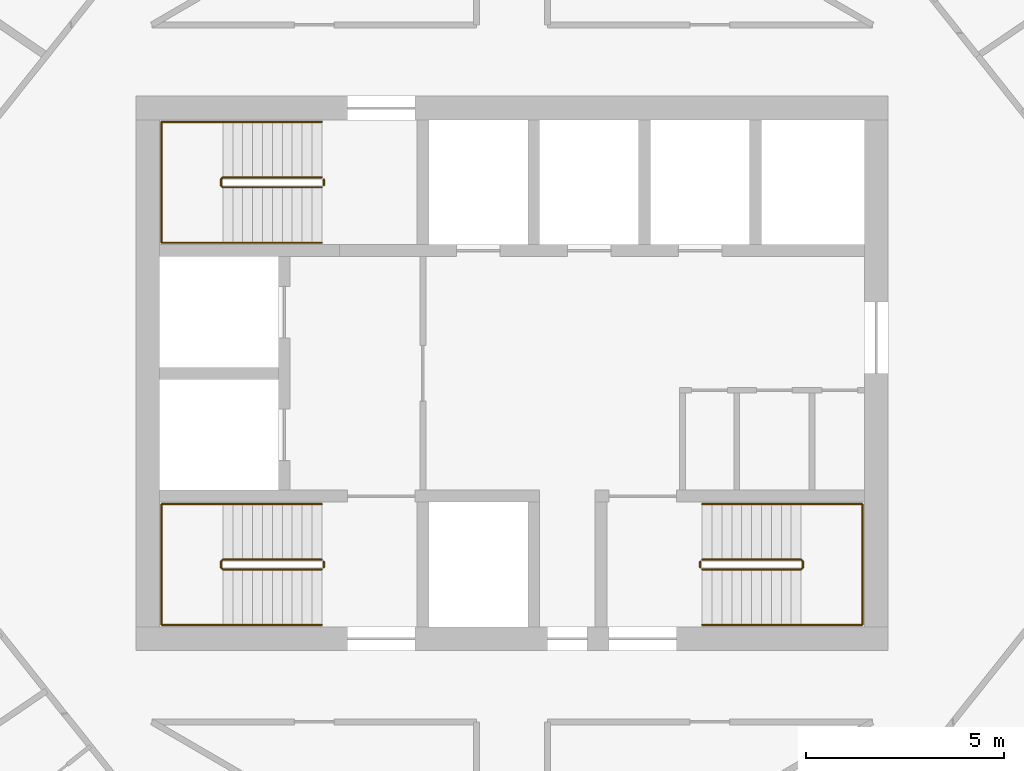
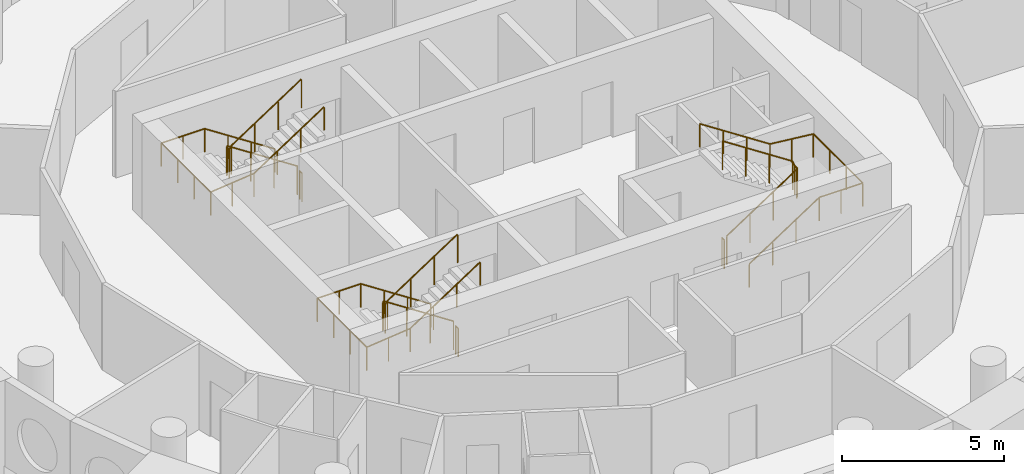
# One storey, part 13 of 13: 9 railings.
"""IFC4 building model written with IfcOpenShell, lengths in metres."""

from ifc_helpers import new_model, si_unit, direction, frame, origin, origin_2d, place, context, subcontext, project, spatial, circle, extrude, material, type_object, element, save


model = new_model("IFC4")

# Units and contexts
model_context = context("Model", 3, precision=1e-05, world=origin(), true_north=direction((0.0, 1.0)))
body_context = subcontext(model_context, "Body", "Model", "MODEL_VIEW")
ifc_project = project(units=[si_unit("LENGTHUNIT", "METRE"), si_unit("AREAUNIT", "SQUARE_METRE"), si_unit("VOLUMEUNIT", "CUBIC_METRE"), si_unit("PLANEANGLEUNIT", "RADIAN"), si_unit("MASSUNIT", "GRAM", prefix="KILO")], contexts=[model_context])

# Site, building, storey
site_placement = place(None, origin())
site = spatial("IfcSite", under=ifc_project, at=site_placement, CompositionType="ELEMENT")
building_placement = place(site_placement, origin())
building = spatial("IfcBuilding", under=site, at=building_placement, Name="Tracery Tower", CompositionType="ELEMENT")
storey_placement = place(building_placement, frame((0.0, 0.0, 259.800048828125)))
storey = spatial("IfcBuildingStorey", under=building, at=storey_placement, Name="L67", CompositionType="ELEMENT", Elevation=259.800048828125)

# Railings
ifc_material_1 = material(Name="Stainless steel and laminated glass", Category="steel")
railing_type_1 = type_object("IfcRailingType", Name="Stair guard 1100", PredefinedType="GUARDRAIL", material=ifc_material_1)
railing_1_placement = place(storey_placement, frame((-4.800048828125, -4.699951171875, 0.16357421875)))
element("IfcRailing", 1, at=railing_1_placement, inside=storey, type_object=railing_type_1, Name="L67 stair ST1 guard 1", PredefinedType="GUARDRAIL", context=body_context, shape_type="SweptSolid", body=[
    extrude(circle(Radius=0.02392578125, at=origin_2d()), frame((0.0, 0.0, 1.076171875), z_axis=(-0.83668449804, 0.0, 0.54768517484), x_axis=(0.0, -1.0, 0.0)), (0.0, 0.0, 1.0), 2.988037109375),
    extrude(circle(Radius=0.02392578125, at=origin_2d()), frame((-2.5, 0.0, 2.71240234375), z_axis=(-0.707106781187, -0.707106781187, 0.0), x_axis=(0.707106781187, -0.707106781187, 0.0)), (0.0, 0.0, 1.0), 0.07080078125),
    extrude(circle(Radius=0.02392578125, at=origin_2d()), frame((-2.550048828125, -0.050048828125, 2.71240234375), z_axis=(0.0, -1.0, 0.0), x_axis=(1.0, 0.0, 0.0)), (0.0, 0.0, 1.0), 0.14990234375),
    extrude(circle(Radius=0.02392578125, at=origin_2d()), frame((-2.550048828125, -0.199951171875, 2.71240234375), z_axis=(0.280808744504, -0.280808744504, 0.917765164963), x_axis=(0.707106781187, 0.707106781187, 0.0)), (0.0, 0.0, 1.0), 0.17822265625),
    extrude(circle(Radius=0.02392578125, at=origin_2d()), frame((-2.5, -0.25, 2.8759765625), z_axis=(0.836721939367, 0.0, 0.547627972425), x_axis=(0.0, 1.0, 0.0)), (0.0, 0.0, 1.0), 2.98779296875),
    extrude(circle(Radius=0.02099609375, at=origin_2d()), origin(), (0.0, 0.0, 1.0), 1.052001953125),
    extrude(circle(Radius=0.02099609375, at=origin_2d()), frame((-0.833251953125, 0.0, 0.54541015625)), (0.0, 0.0, 1.0), 1.052001953125),
    extrude(circle(Radius=0.02099609375, at=origin_2d()), frame((-1.666748046875, 0.0, 1.091064453125)), (0.0, 0.0, 1.0), 1.052001953125),
    extrude(circle(Radius=0.02099609375, at=origin_2d()), frame((-2.5, 0.0, 1.636474609375)), (0.0, 0.0, 1.0), 1.052001953125),
    extrude(circle(Radius=0.02099609375, at=origin_2d()), frame((-2.550048828125, -0.050048828125, 1.636474609375)), (0.0, 0.0, 1.0), 1.052001953125),
    extrude(circle(Radius=0.02099609375, at=origin_2d()), frame((-2.550048828125, -0.199951171875, 1.636474609375)), (0.0, 0.0, 1.0), 1.052001953125),
    extrude(circle(Radius=0.02099609375, at=origin_2d()), frame((-2.5, -0.25, 1.800048828125)), (0.0, 0.0, 1.0), 1.052001953125),
    extrude(circle(Radius=0.02099609375, at=origin_2d()), frame((-1.666748046875, -0.25, 2.345458984375)), (0.0, 0.0, 1.0), 1.052001953125),
    extrude(circle(Radius=0.02099609375, at=origin_2d()), frame((-0.833251953125, -0.25, 2.890869140625)), (0.0, 0.0, 1.0), 1.052001953125),
    extrude(circle(Radius=0.02099609375, at=origin_2d()), frame((0.0, -0.25, 3.436279296875)), (0.0, 0.0, 1.0), 1.052001953125),
])
railing_2_placement = place(storey_placement, frame((-4.75, -4.75, 0.0)))
element("IfcRailing", 2, at=railing_2_placement, inside=storey, type_object=railing_type_1, Name="L67 stair ST1 guard 2", PredefinedType="GUARDRAIL", context=body_context, shape_type="SweptSolid", body=[
    extrude(circle(Radius=0.02392578125, at=origin_2d()), frame((0.0, 0.0, 1.076171875), z_axis=(0.0, -1.0, 0.0), x_axis=(1.0, 0.0, 0.0)), (0.0, 0.0, 1.0), 0.14990234375),
    extrude(circle(Radius=0.02099609375, at=origin_2d()), origin(), (0.0, 0.0, 1.0), 1.052001953125),
    extrude(circle(Radius=0.02099609375, at=origin_2d()), frame((0.0, -0.14990234375, 0.0)), (0.0, 0.0, 1.0), 1.052001953125),
])
railing_3_placement = place(storey_placement, frame((-4.800048828125, 4.949951171875, 0.16357421875)))
element("IfcRailing", 3, at=railing_3_placement, inside=storey, type_object=railing_type_1, Name="L67 stair ST3 guard 1", PredefinedType="GUARDRAIL", context=body_context, shape_type="SweptSolid", body=[
    extrude(circle(Radius=0.02392578125, at=origin_2d()), frame((0.0, 0.0, 1.076171875), z_axis=(-0.83668449804, 0.0, 0.54768517484), x_axis=(0.0, -1.0, 0.0)), (0.0, 0.0, 1.0), 2.988037109375),
    extrude(circle(Radius=0.02392578125, at=origin_2d()), frame((-2.5, 0.0, 2.71240234375), z_axis=(-0.707106781187, -0.707106781187, 0.0), x_axis=(0.707106781187, -0.707106781187, 0.0)), (0.0, 0.0, 1.0), 0.07080078125),
    extrude(circle(Radius=0.02392578125, at=origin_2d()), frame((-2.550048828125, -0.050048828125, 2.71240234375), z_axis=(0.0, -1.0, 0.0), x_axis=(1.0, 0.0, 0.0)), (0.0, 0.0, 1.0), 0.14990234375),
    extrude(circle(Radius=0.02392578125, at=origin_2d()), frame((-2.550048828125, -0.199951171875, 2.71240234375), z_axis=(0.280808744504, -0.280808744504, 0.917765164963), x_axis=(0.707106781187, 0.707106781187, 0.0)), (0.0, 0.0, 1.0), 0.17822265625),
    extrude(circle(Radius=0.02392578125, at=origin_2d()), frame((-2.5, -0.25, 2.8759765625), z_axis=(0.836721939367, 0.0, 0.547627972425), x_axis=(0.0, 1.0, 0.0)), (0.0, 0.0, 1.0), 2.98779296875),
    extrude(circle(Radius=0.02099609375, at=origin_2d()), origin(), (0.0, 0.0, 1.0), 1.052001953125),
    extrude(circle(Radius=0.02099609375, at=origin_2d()), frame((-0.833251953125, 0.0, 0.54541015625)), (0.0, 0.0, 1.0), 1.052001953125),
    extrude(circle(Radius=0.02099609375, at=origin_2d()), frame((-1.666748046875, 0.0, 1.091064453125)), (0.0, 0.0, 1.0), 1.052001953125),
    extrude(circle(Radius=0.02099609375, at=origin_2d()), frame((-2.5, 0.0, 1.636474609375)), (0.0, 0.0, 1.0), 1.052001953125),
    extrude(circle(Radius=0.02099609375, at=origin_2d()), frame((-2.550048828125, -0.050048828125, 1.636474609375)), (0.0, 0.0, 1.0), 1.052001953125),
    extrude(circle(Radius=0.02099609375, at=origin_2d()), frame((-2.550048828125, -0.199951171875, 1.636474609375)), (0.0, 0.0, 1.0), 1.052001953125),
    extrude(circle(Radius=0.02099609375, at=origin_2d()), frame((-2.5, -0.25, 1.800048828125)), (0.0, 0.0, 1.0), 1.052001953125),
    extrude(circle(Radius=0.02099609375, at=origin_2d()), frame((-1.666748046875, -0.25, 2.345458984375)), (0.0, 0.0, 1.0), 1.052001953125),
    extrude(circle(Radius=0.02099609375, at=origin_2d()), frame((-0.833251953125, -0.25, 2.890869140625)), (0.0, 0.0, 1.0), 1.052001953125),
    extrude(circle(Radius=0.02099609375, at=origin_2d()), frame((0.0, -0.25, 3.436279296875)), (0.0, 0.0, 1.0), 1.052001953125),
])
railing_4_placement = place(storey_placement, frame((-4.75, 4.89990234375, 0.0)))
element("IfcRailing", 4, at=railing_4_placement, inside=storey, type_object=railing_type_1, Name="L67 stair ST3 guard 2", PredefinedType="GUARDRAIL", context=body_context, shape_type="SweptSolid", body=[
    extrude(circle(Radius=0.02392578125, at=origin_2d()), frame((0.0, 0.0, 1.076171875), z_axis=(0.0, -1.0, 0.0), x_axis=(1.0, 0.0, 0.0)), (0.0, 0.0, 1.0), 0.14990234375),
    extrude(circle(Radius=0.02099609375, at=origin_2d()), origin(), (0.0, 0.0, 1.0), 1.052001953125),
    extrude(circle(Radius=0.02099609375, at=origin_2d()), frame((0.0, -0.14990234375, 0.0)), (0.0, 0.0, 1.0), 1.052001953125),
])
railing_5_placement = place(storey_placement, frame((4.800048828125, -4.949951171875, 0.16357421875)))
element("IfcRailing", 5, at=railing_5_placement, inside=storey, type_object=railing_type_1, Name="L67 stair ST2 guard 1", PredefinedType="GUARDRAIL", context=body_context, shape_type="SweptSolid", body=[
    extrude(circle(Radius=0.02392578125, at=origin_2d()), frame((0.0, 0.0, 1.076171875), z_axis=(0.83668449804, 0.0, 0.54768517484), x_axis=(0.0, 1.0, 0.0)), (0.0, 0.0, 1.0), 2.988037109375),
    extrude(circle(Radius=0.02392578125, at=origin_2d()), frame((2.5, 0.0, 2.71240234375), z_axis=(0.707106781187, 0.707106781187, 0.0), x_axis=(-0.707106781187, 0.707106781187, 0.0)), (0.0, 0.0, 1.0), 0.07080078125),
    extrude(circle(Radius=0.02392578125, at=origin_2d()), frame((2.550048828125, 0.050048828125, 2.71240234375), z_axis=(0.0, 1.0, 0.0), x_axis=(-1.0, 0.0, 0.0)), (0.0, 0.0, 1.0), 0.14990234375),
    extrude(circle(Radius=0.02392578125, at=origin_2d()), frame((2.550048828125, 0.199951171875, 2.71240234375), z_axis=(-0.280808744504, 0.280808744504, 0.917765164963), x_axis=(-0.707106781187, -0.707106781187, 0.0)), (0.0, 0.0, 1.0), 0.17822265625),
    extrude(circle(Radius=0.02392578125, at=origin_2d()), frame((2.5, 0.25, 2.8759765625), z_axis=(-0.836721939367, 0.0, 0.547627972425), x_axis=(0.0, -1.0, 0.0)), (0.0, 0.0, 1.0), 2.98779296875),
    extrude(circle(Radius=0.02099609375, at=origin_2d()), origin(), (0.0, 0.0, 1.0), 1.052001953125),
    extrude(circle(Radius=0.02099609375, at=origin_2d()), frame((0.833251953125, 0.0, 0.54541015625)), (0.0, 0.0, 1.0), 1.052001953125),
    extrude(circle(Radius=0.02099609375, at=origin_2d()), frame((1.666748046875, 0.0, 1.091064453125)), (0.0, 0.0, 1.0), 1.052001953125),
    extrude(circle(Radius=0.02099609375, at=origin_2d()), frame((2.5, 0.0, 1.636474609375)), (0.0, 0.0, 1.0), 1.052001953125),
    extrude(circle(Radius=0.02099609375, at=origin_2d()), frame((2.550048828125, 0.050048828125, 1.636474609375)), (0.0, 0.0, 1.0), 1.052001953125),
    extrude(circle(Radius=0.02099609375, at=origin_2d()), frame((2.550048828125, 0.199951171875, 1.636474609375)), (0.0, 0.0, 1.0), 1.052001953125),
    extrude(circle(Radius=0.02099609375, at=origin_2d()), frame((2.5, 0.25, 1.800048828125)), (0.0, 0.0, 1.0), 1.052001953125),
    extrude(circle(Radius=0.02099609375, at=origin_2d()), frame((1.666748046875, 0.25, 2.345458984375)), (0.0, 0.0, 1.0), 1.052001953125),
    extrude(circle(Radius=0.02099609375, at=origin_2d()), frame((0.833251953125, 0.25, 2.890869140625)), (0.0, 0.0, 1.0), 1.052001953125),
    extrude(circle(Radius=0.02099609375, at=origin_2d()), frame((0.0, 0.25, 3.436279296875)), (0.0, 0.0, 1.0), 1.052001953125),
])
railing_6_placement = place(storey_placement, frame((4.75, -4.89990234375, 0.0)))
element("IfcRailing", 6, at=railing_6_placement, inside=storey, type_object=railing_type_1, Name="L67 stair ST2 guard 2", PredefinedType="GUARDRAIL", context=body_context, shape_type="SweptSolid", body=[
    extrude(circle(Radius=0.02392578125, at=origin_2d()), frame((0.0, 0.0, 1.076171875), z_axis=(0.0, 1.0, 0.0), x_axis=(-1.0, 0.0, 0.0)), (0.0, 0.0, 1.0), 0.14990234375),
    extrude(circle(Radius=0.02099609375, at=origin_2d()), origin(), (0.0, 0.0, 1.0), 1.052001953125),
    extrude(circle(Radius=0.02099609375, at=origin_2d()), frame((0.0, 0.14990234375, 0.0)), (0.0, 0.0, 1.0), 1.052001953125),
])
ifc_material_2 = material(Name="Stainless steel and laminated glass", Category="steel")
railing_type_2 = type_object("IfcRailingType", Name="Stair handrail 900", PredefinedType="HANDRAIL", material=ifc_material_2)
railing_7_placement = place(storey_placement, frame((-4.800048828125, -3.300048828125, 0.16357421875)))
element("IfcRailing", 7, at=railing_7_placement, inside=storey, type_object=railing_type_2, Name="L67 stair ST1 handrail 1", PredefinedType="HANDRAIL", context=body_context, shape_type="SweptSolid", body=[
    extrude(circle(Radius=0.02392578125, at=origin_2d()), frame((0.0, 0.0, 0.8759765625), z_axis=(-0.83668449804, 0.0, 0.54768517484), x_axis=(0.0, -1.0, 0.0)), (0.0, 0.0, 1.0), 2.988037109375),
    extrude(circle(Radius=0.02392578125, at=origin_2d()), frame((-2.5, 0.0, 2.51220703125), z_axis=(-1.0, 0.0, 0.0), x_axis=(0.0, -1.0, 0.0)), (0.0, 0.0, 1.0), 1.550048828125),
    extrude(circle(Radius=0.02392578125, at=origin_2d()), frame((-4.050048828125, 0.0, 2.51220703125), z_axis=(0.0, -1.0, 0.0), x_axis=(1.0, 0.0, 0.0)), (0.0, 0.0, 1.0), 3.050048828125),
    extrude(circle(Radius=0.02392578125, at=origin_2d()), frame((-4.050048828125, -3.050048828125, 2.51220703125), z_axis=(0.994477953863, 0.0, 0.104945696817), x_axis=(0.0, 1.0, 0.0)), (0.0, 0.0, 1.0), 1.55859375),
    extrude(circle(Radius=0.02392578125, at=origin_2d()), frame((-2.5, -3.050048828125, 2.67578125), z_axis=(0.836721939367, 0.0, 0.547627972425), x_axis=(0.0, 1.0, 0.0)), (0.0, 0.0, 1.0), 2.98779296875),
    extrude(circle(Radius=0.02099609375, at=origin_2d()), origin(), (0.0, 0.0, 1.0), 0.851806640625),
    extrude(circle(Radius=0.02099609375, at=origin_2d()), frame((-0.833251953125, 0.0, 0.54541015625)), (0.0, 0.0, 1.0), 0.851806640625),
    extrude(circle(Radius=0.02099609375, at=origin_2d()), frame((-1.666748046875, 0.0, 1.091064453125)), (0.0, 0.0, 1.0), 0.851806640625),
    extrude(circle(Radius=0.02099609375, at=origin_2d()), frame((-2.5, 0.0, 1.636474609375)), (0.0, 0.0, 1.0), 0.851806640625),
    extrude(circle(Radius=0.02099609375, at=origin_2d()), frame((-3.27490234375, 0.0, 1.636474609375)), (0.0, 0.0, 1.0), 0.851806640625),
    extrude(circle(Radius=0.02099609375, at=origin_2d()), frame((-4.050048828125, 0.0, 1.636474609375)), (0.0, 0.0, 1.0), 0.851806640625),
    extrude(circle(Radius=0.02099609375, at=origin_2d()), frame((-4.050048828125, -1.0166015625, 1.636474609375)), (0.0, 0.0, 1.0), 0.851806640625),
    extrude(circle(Radius=0.02099609375, at=origin_2d()), frame((-4.050048828125, -2.033447265625, 1.636474609375)), (0.0, 0.0, 1.0), 0.851806640625),
    extrude(circle(Radius=0.02099609375, at=origin_2d()), frame((-4.050048828125, -3.050048828125, 1.636474609375)), (0.0, 0.0, 1.0), 0.851806640625),
    extrude(circle(Radius=0.02099609375, at=origin_2d()), frame((-3.27490234375, -3.050048828125, 1.71826171875)), (0.0, 0.0, 1.0), 0.851806640625),
    extrude(circle(Radius=0.02099609375, at=origin_2d()), frame((-2.5, -3.050048828125, 1.800048828125)), (0.0, 0.0, 1.0), 0.851806640625),
    extrude(circle(Radius=0.02099609375, at=origin_2d()), frame((-1.666748046875, -3.050048828125, 2.345458984375)), (0.0, 0.0, 1.0), 0.851806640625),
    extrude(circle(Radius=0.02099609375, at=origin_2d()), frame((-0.833251953125, -3.050048828125, 2.890869140625)), (0.0, 0.0, 1.0), 0.851806640625),
    extrude(circle(Radius=0.02099609375, at=origin_2d()), frame((0.0, -3.050048828125, 3.436279296875)), (0.0, 0.0, 1.0), 0.851806640625),
])
railing_8_placement = place(storey_placement, frame((-4.800048828125, 6.35009765625, 0.16357421875)))
element("IfcRailing", 8, at=railing_8_placement, inside=storey, type_object=railing_type_2, Name="L67 stair ST3 handrail 1", PredefinedType="HANDRAIL", context=body_context, shape_type="SweptSolid", body=[
    extrude(circle(Radius=0.02392578125, at=origin_2d()), frame((0.0, 0.0, 0.8759765625), z_axis=(-0.83668449804, 0.0, 0.54768517484), x_axis=(0.0, -1.0, 0.0)), (0.0, 0.0, 1.0), 2.988037109375),
    extrude(circle(Radius=0.02392578125, at=origin_2d()), frame((-2.5, 0.0, 2.51220703125), z_axis=(-1.0, 0.0, 0.0), x_axis=(0.0, -1.0, 0.0)), (0.0, 0.0, 1.0), 1.550048828125),
    extrude(circle(Radius=0.02392578125, at=origin_2d()), frame((-4.050048828125, 0.0, 2.51220703125), z_axis=(0.0, -1.0, 0.0), x_axis=(1.0, 0.0, 0.0)), (0.0, 0.0, 1.0), 3.050048828125),
    extrude(circle(Radius=0.02392578125, at=origin_2d()), frame((-4.050048828125, -3.050048828125, 2.51220703125), z_axis=(0.994477953863, 0.0, 0.104945696817), x_axis=(0.0, 1.0, 0.0)), (0.0, 0.0, 1.0), 1.55859375),
    extrude(circle(Radius=0.02392578125, at=origin_2d()), frame((-2.5, -3.050048828125, 2.67578125), z_axis=(0.836721939367, 0.0, 0.547627972425), x_axis=(0.0, 1.0, 0.0)), (0.0, 0.0, 1.0), 2.98779296875),
    extrude(circle(Radius=0.02099609375, at=origin_2d()), origin(), (0.0, 0.0, 1.0), 0.851806640625),
    extrude(circle(Radius=0.02099609375, at=origin_2d()), frame((-0.833251953125, 0.0, 0.54541015625)), (0.0, 0.0, 1.0), 0.851806640625),
    extrude(circle(Radius=0.02099609375, at=origin_2d()), frame((-1.666748046875, 0.0, 1.091064453125)), (0.0, 0.0, 1.0), 0.851806640625),
    extrude(circle(Radius=0.02099609375, at=origin_2d()), frame((-2.5, 0.0, 1.636474609375)), (0.0, 0.0, 1.0), 0.851806640625),
    extrude(circle(Radius=0.02099609375, at=origin_2d()), frame((-3.27490234375, 0.0, 1.636474609375)), (0.0, 0.0, 1.0), 0.851806640625),
    extrude(circle(Radius=0.02099609375, at=origin_2d()), frame((-4.050048828125, 0.0, 1.636474609375)), (0.0, 0.0, 1.0), 0.851806640625),
    extrude(circle(Radius=0.02099609375, at=origin_2d()), frame((-4.050048828125, -1.0166015625, 1.636474609375)), (0.0, 0.0, 1.0), 0.851806640625),
    extrude(circle(Radius=0.02099609375, at=origin_2d()), frame((-4.050048828125, -2.033447265625, 1.636474609375)), (0.0, 0.0, 1.0), 0.851806640625),
    extrude(circle(Radius=0.02099609375, at=origin_2d()), frame((-4.050048828125, -3.050048828125, 1.636474609375)), (0.0, 0.0, 1.0), 0.851806640625),
    extrude(circle(Radius=0.02099609375, at=origin_2d()), frame((-3.27490234375, -3.050048828125, 1.71826171875)), (0.0, 0.0, 1.0), 0.851806640625),
    extrude(circle(Radius=0.02099609375, at=origin_2d()), frame((-2.5, -3.050048828125, 1.800048828125)), (0.0, 0.0, 1.0), 0.851806640625),
    extrude(circle(Radius=0.02099609375, at=origin_2d()), frame((-1.666748046875, -3.050048828125, 2.345458984375)), (0.0, 0.0, 1.0), 0.851806640625),
    extrude(circle(Radius=0.02099609375, at=origin_2d()), frame((-0.833251953125, -3.050048828125, 2.890869140625)), (0.0, 0.0, 1.0), 0.851806640625),
    extrude(circle(Radius=0.02099609375, at=origin_2d()), frame((0.0, -3.050048828125, 3.436279296875)), (0.0, 0.0, 1.0), 0.851806640625),
])
railing_9_placement = place(storey_placement, frame((4.800048828125, -6.35009765625, 0.16357421875)))
element("IfcRailing", 9, at=railing_9_placement, inside=storey, type_object=railing_type_2, Name="L67 stair ST2 handrail 1", PredefinedType="HANDRAIL", context=body_context, shape_type="SweptSolid", body=[
    extrude(circle(Radius=0.02392578125, at=origin_2d()), frame((0.0, 0.0, 0.8759765625), z_axis=(0.83668449804, 0.0, 0.54768517484), x_axis=(0.0, 1.0, 0.0)), (0.0, 0.0, 1.0), 2.988037109375),
    extrude(circle(Radius=0.02392578125, at=origin_2d()), frame((2.5, 0.0, 2.51220703125), z_axis=(1.0, 0.0, 0.0), x_axis=(0.0, 1.0, 0.0)), (0.0, 0.0, 1.0), 1.550048828125),
    extrude(circle(Radius=0.02392578125, at=origin_2d()), frame((4.050048828125, 0.0, 2.51220703125), z_axis=(0.0, 1.0, 0.0), x_axis=(-1.0, 0.0, 0.0)), (0.0, 0.0, 1.0), 3.050048828125),
    extrude(circle(Radius=0.02392578125, at=origin_2d()), frame((4.050048828125, 3.050048828125, 2.51220703125), z_axis=(-0.994477953863, 0.0, 0.104945696817), x_axis=(0.0, -1.0, 0.0)), (0.0, 0.0, 1.0), 1.55859375),
    extrude(circle(Radius=0.02392578125, at=origin_2d()), frame((2.5, 3.050048828125, 2.67578125), z_axis=(-0.836721939367, 0.0, 0.547627972425), x_axis=(0.0, -1.0, 0.0)), (0.0, 0.0, 1.0), 2.98779296875),
    extrude(circle(Radius=0.02099609375, at=origin_2d()), origin(), (0.0, 0.0, 1.0), 0.851806640625),
    extrude(circle(Radius=0.02099609375, at=origin_2d()), frame((0.833251953125, 0.0, 0.54541015625)), (0.0, 0.0, 1.0), 0.851806640625),
    extrude(circle(Radius=0.02099609375, at=origin_2d()), frame((1.666748046875, 0.0, 1.091064453125)), (0.0, 0.0, 1.0), 0.851806640625),
    extrude(circle(Radius=0.02099609375, at=origin_2d()), frame((2.5, 0.0, 1.636474609375)), (0.0, 0.0, 1.0), 0.851806640625),
    extrude(circle(Radius=0.02099609375, at=origin_2d()), frame((3.27490234375, 0.0, 1.636474609375)), (0.0, 0.0, 1.0), 0.851806640625),
    extrude(circle(Radius=0.02099609375, at=origin_2d()), frame((4.050048828125, 0.0, 1.636474609375)), (0.0, 0.0, 1.0), 0.851806640625),
    extrude(circle(Radius=0.02099609375, at=origin_2d()), frame((4.050048828125, 1.0166015625, 1.636474609375)), (0.0, 0.0, 1.0), 0.851806640625),
    extrude(circle(Radius=0.02099609375, at=origin_2d()), frame((4.050048828125, 2.033447265625, 1.636474609375)), (0.0, 0.0, 1.0), 0.851806640625),
    extrude(circle(Radius=0.02099609375, at=origin_2d()), frame((4.050048828125, 3.050048828125, 1.636474609375)), (0.0, 0.0, 1.0), 0.851806640625),
    extrude(circle(Radius=0.02099609375, at=origin_2d()), frame((3.27490234375, 3.050048828125, 1.71826171875)), (0.0, 0.0, 1.0), 0.851806640625),
    extrude(circle(Radius=0.02099609375, at=origin_2d()), frame((2.5, 3.050048828125, 1.800048828125)), (0.0, 0.0, 1.0), 0.851806640625),
    extrude(circle(Radius=0.02099609375, at=origin_2d()), frame((1.666748046875, 3.050048828125, 2.345458984375)), (0.0, 0.0, 1.0), 0.851806640625),
    extrude(circle(Radius=0.02099609375, at=origin_2d()), frame((0.833251953125, 3.050048828125, 2.890869140625)), (0.0, 0.0, 1.0), 0.851806640625),
    extrude(circle(Radius=0.02099609375, at=origin_2d()), frame((0.0, 3.050048828125, 3.436279296875)), (0.0, 0.0, 1.0), 0.851806640625),
])

save(model, "model.ifc")
